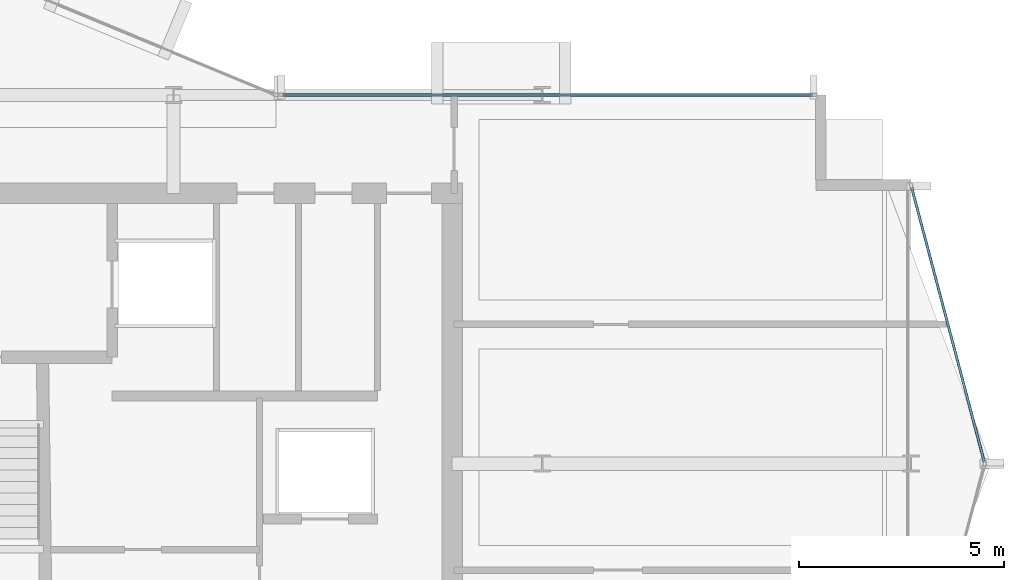
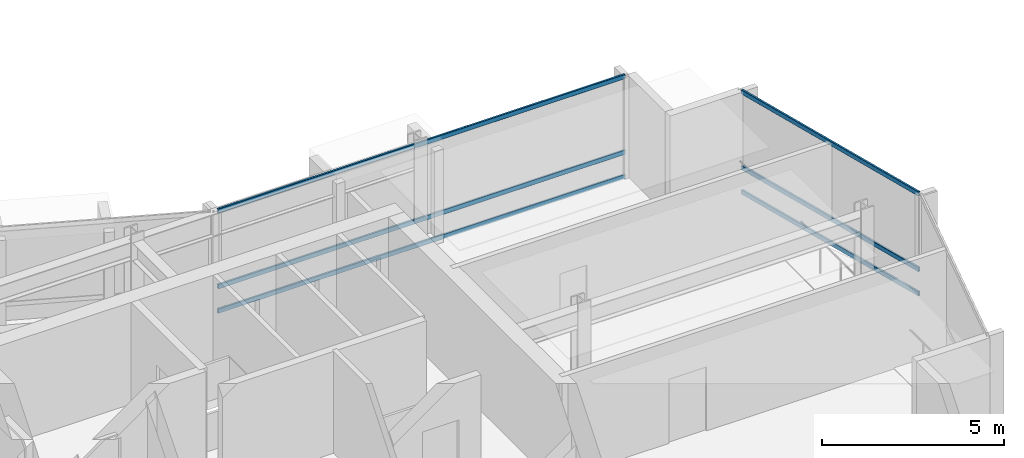
# One storey, part 13 of 27: 6 members, 2 elements without a shape of their own.
"""IFC4 building model written with IfcOpenShell, lengths in metres."""

import ifcopenshell
import ifcopenshell.guid

model = None  # the IFC model being written
_history = None  # IfcOwnerHistory: only IFC2X3 demands one
_inside = {}  # id of a spatial element -> (the spatial element, [elements in it])
_under = {}  # id of a project, library or spatial element -> (it, [spatial elements below it])
_declared = {}  # id of a project -> (the project, [libraries it declares])
_typed = {}  # id of a type object -> (the type object, [elements of that type])
_made_of = {}  # id of a material, layer set ... -> (it, [elements and type objects made of it])


def new_model(schema):
    """Start an empty IFC model of exactly this schema.

    Asked for "IFC4X3", IfcOpenShell would pick the latest addendum, in which some entities
    have other attributes; the version numbers below select the first issue.
    IFC2X3 requires an IfcOwnerHistory on every rooted entity: one is made here for all.
    """
    global model, _history
    if schema == "IFC4X3":
        model = ifcopenshell.file(schema_version=(4, 3, 0, 0))
    else:
        model = ifcopenshell.file(schema=schema)
    _inside.clear()
    _under.clear()
    _declared.clear()
    _typed.clear()
    _made_of.clear()
    _history = None
    if model.schema == "IFC2X3":
        org = make("IfcOrganization", Name="unknown")
        user = make(
            "IfcPersonAndOrganization",
            ThePerson=make("IfcPerson", FamilyName="unknown"),
            TheOrganization=org,
        )
        app = make(
            "IfcApplication",
            ApplicationDeveloper=org,
            Version="unknown",
            ApplicationFullName="unknown",
            ApplicationIdentifier="unknown",
        )
        _history = make(
            "IfcOwnerHistory",
            OwningUser=user,
            OwningApplication=app,
            ChangeAction="ADDED",
            CreationDate=0,
        )
    return model


def make(cls, **values):
    """One entity of the class cls with the attributes given. An attribute that is None is left unset."""
    return model.create_entity(
        cls, **{name: value for name, value in values.items() if value is not None}
    )


def rooted(cls, **values):
    """An entity with a GlobalId (a new one), such as an element, a storey or a relation."""
    return make(cls, GlobalId=ifcopenshell.guid.new(), OwnerHistory=_history, **values)


def si_unit(unit_type, name, prefix=None):
    """IfcSIUnit, for example si_unit("LENGTHUNIT", "METRE", prefix="MILLI")."""
    return make("IfcSIUnit", UnitType=unit_type, Prefix=prefix, Name=name)


def assignment(units):
    """IfcUnitAssignment: the units of a project."""
    return None if units is None else make("IfcUnitAssignment", Units=units)


def point(xyz):
    """IfcCartesianPoint."""
    return None if xyz is None else make("IfcCartesianPoint", Coordinates=xyz)


def direction(xyz):
    """IfcDirection."""
    return None if xyz is None else make("IfcDirection", DirectionRatios=xyz)


def frame(location, z_axis=None, x_axis=None):
    """IfcAxis2Placement3D, a coordinate frame: its origin and axes. An axis left out is left unset."""
    return make(
        "IfcAxis2Placement3D",
        Location=point(location),
        Axis=direction(z_axis),
        RefDirection=direction(x_axis),
    )


def frame_2d(location, x_axis=None):
    """IfcAxis2Placement2D, a coordinate frame in the plane: its origin and x axis."""
    return make(
        "IfcAxis2Placement2D", Location=point(location), RefDirection=direction(x_axis)
    )


def origin():
    """The frame at (0, 0, 0) with its axes left unset."""
    return frame((0.0, 0.0, 0.0))


def origin_2d():
    """The frame at (0, 0) in the plane with its x axis left unset."""
    return frame_2d((0.0, 0.0))


def place(relative_to, where):
    """IfcLocalPlacement: puts the frame where relative to a parent placement (None: the world)."""
    return make(
        "IfcLocalPlacement", PlacementRelTo=relative_to, RelativePlacement=where
    )


def context(
    kind, dimensions, precision=None, world=None, true_north=None, identifier=None
):
    """IfcGeometricRepresentationContext, for example the 3D "Model" context."""
    return make(
        "IfcGeometricRepresentationContext",
        ContextIdentifier=identifier,
        ContextType=kind,
        CoordinateSpaceDimension=dimensions,
        Precision=precision,
        WorldCoordinateSystem=world,
        TrueNorth=true_north,
    )


def subcontext(parent, identifier, kind, view, scale=None):
    """IfcGeometricRepresentationSubContext, for example "Body" below "Model"."""
    return make(
        "IfcGeometricRepresentationSubContext",
        ContextIdentifier=identifier,
        ContextType=kind,
        ParentContext=parent,
        TargetScale=scale,
        TargetView=view,
    )


def project(units=None, contexts=None):
    """IfcProject with its units and contexts."""
    return rooted(
        "IfcProject",
        Name="project",
        RepresentationContexts=contexts,
        UnitsInContext=assignment(units),
    )


def spatial(cls, under=None, at=None, **own):
    """A site, building, storey or space (cls), placed at a placement, below another one or the project."""
    s = rooted(cls, ObjectPlacement=at, **own)
    if under is not None:
        _under.setdefault(under.id(), (under, []))[1].append(s)
    return s


def profile(cls, at=None, kind="AREA", **sizes):
    """A parametric profile (cls). Its sizes go by their IFC names, for example OverallWidth=200.0."""
    return make(cls, ProfileType=kind, Position=at, **sizes)


def hollow_rectangle(**sizes):
    """IfcRectangleHollowProfileDef."""
    return profile("IfcRectangleHollowProfileDef", **sizes)


def extrude(swept, where, along, depth):
    """IfcExtrudedAreaSolid: the profile swept, set in the frame where, extruded along a direction by depth."""
    return make(
        "IfcExtrudedAreaSolid",
        SweptArea=swept,
        Position=where,
        ExtrudedDirection=direction(along),
        Depth=depth,
    )


def shape(context_of_items, identifier, shape_type, items):
    """IfcShapeRepresentation: the items that make up one representation, for example the "Body"."""
    return make(
        "IfcShapeRepresentation",
        ContextOfItems=context_of_items,
        RepresentationIdentifier=identifier,
        RepresentationType=shape_type,
        Items=items,
    )


def material(Name=None, Category=None):
    """IfcMaterial."""
    return make("IfcMaterial", Name=Name, Category=Category)


def layer(
    of_material, thickness, ventilated=None, Name=None, Category=None, Priority=None
):
    """IfcMaterialLayer: one layer of a wall or slab, of a material (None: an air gap)."""
    return make(
        "IfcMaterialLayer",
        Material=of_material,
        LayerThickness=thickness,
        IsVentilated=ventilated,
        Name=Name,
        Category=Category,
        Priority=Priority,
    )


def layer_set(layers, Name=None):
    """IfcMaterialLayerSet."""
    return make("IfcMaterialLayerSet", MaterialLayers=layers, LayerSetName=Name)


def material_profile(
    of_material, cross_section, Name=None, Category=None, Priority=None
):
    """IfcMaterialProfile: a cross section and its material."""
    return make(
        "IfcMaterialProfile",
        Name=Name,
        Material=of_material,
        Profile=cross_section,
        Priority=Priority,
        Category=Category,
    )


def profile_set(profiles, Name=None, composite=None):
    """IfcMaterialProfileSet."""
    return make(
        "IfcMaterialProfileSet",
        Name=Name,
        MaterialProfiles=profiles,
        CompositeProfile=composite,
    )


def made_of(thing, what):
    """Note that an element or type object is made of a material, layer set ...; save() writes the relation."""
    if what is not None:
        _made_of.setdefault(what.id(), (what, []))[1].append(thing)
    return thing


def type_object(cls, material=None, **own):
    """A type object (cls), such as IfcWallType, which elements share."""
    return made_of(rooted(cls, **own), material)


def element(
    cls,
    number,
    at=None,
    inside=None,
    cuts=None,
    type_object=None,
    material=None,
    context=None,
    identifier="Body",
    shape_type=None,
    held_by="IfcProductDefinitionShape",
    body=None,
    shapes=None,
    **own,
):
    """One element of the class cls, such as IfcWall. Its Tag is "e" and its number.

    at: its placement. inside: the storey or other place that contains it. cuts: it is an
    opening in that element (IfcRelVoidsElement). A single representation is given by context,
    identifier, shape_type and body (its items); several are given by shapes. held_by: the class
    of the entity that holds the representations. save() writes the other relations.
    """
    e = rooted(cls, Tag="e%d" % number, ObjectPlacement=at, **own)
    if body is not None:
        shapes = [shape(context, identifier, shape_type, body)]
    if shapes is not None:
        e.Representation = make(held_by, Representations=shapes)
    if inside is not None:
        _inside.setdefault(inside.id(), (inside, []))[1].append(e)
    if cuts is not None:
        rooted(
            "IfcRelVoidsElement", RelatingBuildingElement=cuts, RelatedOpeningElement=e
        )
    if type_object is not None:
        _typed.setdefault(type_object.id(), (type_object, []))[1].append(e)
    return made_of(e, material)


def aggregate(whole, parts):
    """IfcRelAggregates: a whole, such as a stair, and the parts it consists of."""
    return rooted("IfcRelAggregates", RelatingObject=whole, RelatedObjects=parts)


def save(model, path):
    """Write the relations noted so far, then the file.

    IfcRelAggregates (storeys below a building ...), IfcRelContainedInSpatialStructure (elements
    in a storey), IfcRelDefinesByType, IfcRelAssociatesMaterial and IfcRelDeclares: one each for
    every whole, place, type object, material and project.
    """
    for whole, parts in _under.values():
        aggregate(whole, parts)
    for where, things in _inside.values():
        rooted(
            "IfcRelContainedInSpatialStructure",
            RelatedElements=things,
            RelatingStructure=where,
        )
    for kind, things in _typed.values():
        rooted("IfcRelDefinesByType", RelatedObjects=things, RelatingType=kind)
    for what, things in _made_of.values():
        rooted("IfcRelAssociatesMaterial", RelatedObjects=things, RelatingMaterial=what)
    for by, libraries in _declared.values():
        rooted("IfcRelDeclares", RelatingContext=by, RelatedDefinitions=libraries)
    model.write(path)


model = new_model("IFC4")

# Units and contexts
model_context = context("Model", 3, precision=1e-05, world=origin(), true_north=direction((0.0, 1.0)))
body_context = subcontext(model_context, "Body", "Model", "MODEL_VIEW")
ifc_project = project(units=[si_unit("LENGTHUNIT", "METRE"), si_unit("AREAUNIT", "SQUARE_METRE"), si_unit("VOLUMEUNIT", "CUBIC_METRE"), si_unit("PLANEANGLEUNIT", "RADIAN"), si_unit("MASSUNIT", "GRAM", prefix="KILO")], contexts=[model_context])

# Site, building, storey
site_placement = place(None, origin())
site = spatial("IfcSite", under=ifc_project, at=site_placement, CompositionType="ELEMENT")
building_placement = place(site_placement, origin())
building = spatial("IfcBuilding", under=site, at=building_placement, Name="Solvaryn Broadcast Tower", CompositionType="ELEMENT")
storey_placement = place(building_placement, frame((0.0, 0.0, 174.199951171875)))
storey = spatial("IfcBuildingStorey", under=building, at=storey_placement, Name="L43", CompositionType="ELEMENT", Elevation=174.199951171875)

# Curtain wall, members
ifc_material_1 = material(Name="Aluminium and Terracotta Unitised Curtain Wall", Category="masonry")
ifc_layer = layer(ifc_material_1, 0.199951171875)
ifc_layer_set = layer_set([ifc_layer], Name="CW-SYS2-LOWMID")
curtain_wall_type = type_object("IfcCurtainWallType", Name="CW-SYS2-LOWMID", PredefinedType="NOTDEFINED", material=ifc_layer_set)
curtain_wall_1_placement = place(storey_placement, origin())
curtain_wall_1 = element("IfcCurtainWall", 1, at=curtain_wall_1_placement, inside=storey, type_object=curtain_wall_type, Name="L43 Curtain Wall ET1", PredefinedType="NOTDEFINED")
ifc_material_2 = material(Name="Anodised Aluminium 6063-T6", Category="aluminium")
ifc_material_profile = material_profile(ifc_material_2, hollow_rectangle(XDim=0.06494140625, YDim=0.14990234375, WallThickness=0.00390625, InnerFilletRadius=0.00390625, OuterFilletRadius=0.008056640625, at=origin_2d()))
ifc_profile_set = profile_set([ifc_material_profile], Name="Anodised Aluminium 6063-T6")
member_type = type_object("IfcMemberType", Name="CW-TRN-150", PredefinedType="USERDEFINED", material=ifc_profile_set)
member_1_placement = place(storey_placement, frame((54.015380859375, 24.741943359375, 0.030029296875), z_axis=(0.255897413051, -0.966703943301, 0.0), x_axis=(0.966703943301, 0.255897413051, 0.0)))
member_1 = element("IfcMember", 2, at=member_1_placement, type_object=member_type, Name="CWS2 transom 1.1", ObjectType="TRANSOM", PredefinedType="USERDEFINED", context=body_context, shape_type="SweptSolid", body=[
    extrude(hollow_rectangle(XDim=0.06494140625, YDim=0.14990234375, WallThickness=0.00390625, InnerFilletRadius=0.00390625, OuterFilletRadius=0.008056640625, at=origin_2d()), origin(), (0.0, 0.0, 1.0), 6.9140625),
])
member_2_placement = place(storey_placement, frame((54.015380859375, 24.741943359375, 0.85009765625), z_axis=(0.255897413051, -0.966703943301, 0.0), x_axis=(0.966703943301, 0.255897413051, 0.0)))
member_2 = element("IfcMember", 3, at=member_2_placement, type_object=member_type, Name="CWS2 transom 1.2", ObjectType="TRANSOM", PredefinedType="USERDEFINED", context=body_context, shape_type="SweptSolid", body=[
    extrude(hollow_rectangle(XDim=0.06494140625, YDim=0.14990234375, WallThickness=0.00390625, InnerFilletRadius=0.00390625, OuterFilletRadius=0.008056640625, at=origin_2d()), origin(), (0.0, 0.0, 1.0), 6.9140625),
])
member_3_placement = place(storey_placement, frame((54.015380859375, 24.741943359375, 3.39013671875), z_axis=(0.255897413051, -0.966703943301, 0.0), x_axis=(0.966703943301, 0.255897413051, 0.0)))
member_3 = element("IfcMember", 4, at=member_3_placement, type_object=member_type, Name="CWS2 transom 1.3", ObjectType="TRANSOM", PredefinedType="USERDEFINED", context=body_context, shape_type="SweptSolid", body=[
    extrude(hollow_rectangle(XDim=0.06494140625, YDim=0.14990234375, WallThickness=0.00390625, InnerFilletRadius=0.00390625, OuterFilletRadius=0.008056640625, at=origin_2d()), origin(), (0.0, 0.0, 1.0), 6.9140625),
])
aggregate(curtain_wall_1, [member_1, member_2, member_3])

curtain_wall_2_placement = place(storey_placement, origin())
curtain_wall_2 = element("IfcCurtainWall", 5, at=curtain_wall_2_placement, inside=storey, type_object=curtain_wall_type, Name="L43 Curtain Wall IH", PredefinedType="NOTDEFINED")
member_4_placement = place(storey_placement, frame((38.659912109375, 27.0, 0.030029296875), z_axis=(1.0, 0.0, 0.0), x_axis=(0.0, 1.0, 0.0)))
member_4 = element("IfcMember", 6, at=member_4_placement, type_object=member_type, Name="CWS2 transom 1.1", ObjectType="TRANSOM", PredefinedType="USERDEFINED", context=body_context, shape_type="SweptSolid", body=[
    extrude(hollow_rectangle(XDim=0.06494140625, YDim=0.14990234375, WallThickness=0.00390625, InnerFilletRadius=0.00390625, OuterFilletRadius=0.008056640625, at=origin_2d()), origin(), (0.0, 0.0, 1.0), 12.93017578125),
])
member_5_placement = place(storey_placement, frame((38.659912109375, 27.0, 0.85009765625), z_axis=(1.0, 0.0, 0.0), x_axis=(0.0, 1.0, 0.0)))
member_5 = element("IfcMember", 7, at=member_5_placement, type_object=member_type, Name="CWS2 transom 1.2", ObjectType="TRANSOM", PredefinedType="USERDEFINED", context=body_context, shape_type="SweptSolid", body=[
    extrude(hollow_rectangle(XDim=0.06494140625, YDim=0.14990234375, WallThickness=0.00390625, InnerFilletRadius=0.00390625, OuterFilletRadius=0.008056640625, at=origin_2d()), origin(), (0.0, 0.0, 1.0), 12.93017578125),
])
member_6_placement = place(storey_placement, frame((38.659912109375, 27.0, 3.39013671875), z_axis=(1.0, 0.0, 0.0), x_axis=(0.0, 1.0, 0.0)))
member_6 = element("IfcMember", 8, at=member_6_placement, type_object=member_type, Name="CWS2 transom 1.3", ObjectType="TRANSOM", PredefinedType="USERDEFINED", context=body_context, shape_type="SweptSolid", body=[
    extrude(hollow_rectangle(XDim=0.06494140625, YDim=0.14990234375, WallThickness=0.00390625, InnerFilletRadius=0.00390625, OuterFilletRadius=0.008056640625, at=origin_2d()), origin(), (0.0, 0.0, 1.0), 12.93017578125),
])
aggregate(curtain_wall_2, [member_4, member_5, member_6])

save(model, "model.ifc")
